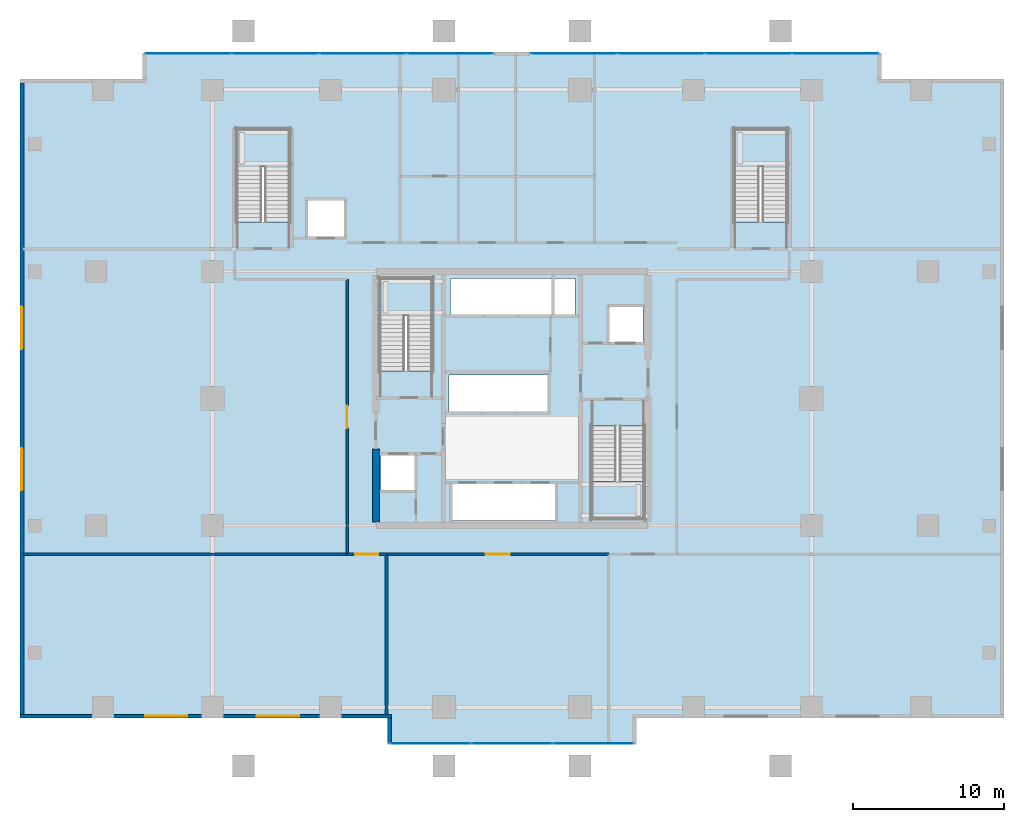
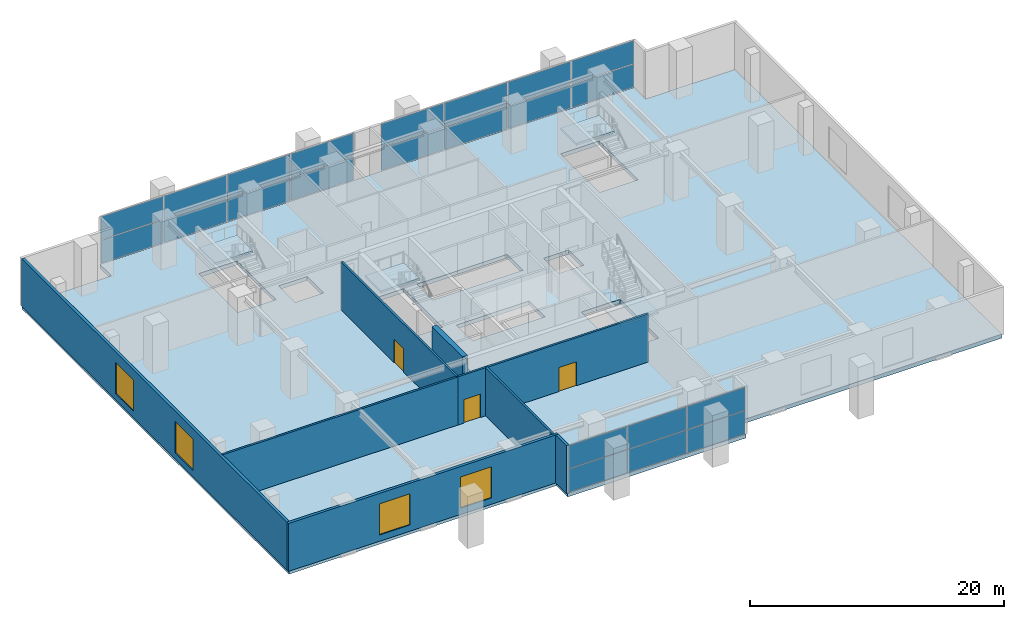
# One storey, part 12 of 20: 22 plates, 9 walls, 5 slabs, 4 windows, 3 doors, 7 openings, 7 elements without a shape of their own.
"""IFC4 building model written with IfcOpenShell, lengths in metres."""

from ifc_helpers import new_model, si_unit, direction, frame, frame_2d, origin, origin_2d, place, context, subcontext, project, spatial, polyline, rectangle, outline, extrude, source, transform, mapped, material, layer, layer_set, type_object, element, fill, aggregate, save


model = new_model("IFC4")

# Units and contexts
model_context = context("Model", 3, precision=1e-05, world=origin(), true_north=direction((0.0, 1.0)))
body_context = subcontext(model_context, "Body", "Model", "MODEL_VIEW")
ifc_project = project(units=[si_unit("LENGTHUNIT", "METRE"), si_unit("AREAUNIT", "SQUARE_METRE"), si_unit("VOLUMEUNIT", "CUBIC_METRE"), si_unit("PLANEANGLEUNIT", "RADIAN"), si_unit("MASSUNIT", "GRAM", prefix="KILO")], contexts=[model_context])

# Site, building, storey
site_placement = place(None, origin())
site = spatial("IfcSite", under=ifc_project, at=site_placement, CompositionType="ELEMENT")
building_placement = place(site_placement, origin())
building = spatial("IfcBuilding", under=site, at=building_placement, Name="Serunith Strait Residences", CompositionType="ELEMENT")
storey_placement = place(building_placement, frame((0.0, 0.0, 5.5)))
storey = spatial("IfcBuildingStorey", under=building, at=storey_placement, Name="L01", CompositionType="ELEMENT", Elevation=5.5)

# Stair, slab
ifc_material_1 = material(Name="Concrete C50/60", Category="concrete")
stair_type_1 = type_object("IfcStairType", Name="STR-CORE-1", PredefinedType="HALF_TURN_STAIR", material=ifc_material_1)
stair_1_placement = place(storey_placement, origin())
stair_1 = element("IfcStair", 1, at=stair_1_placement, inside=storey, type_object=stair_type_1, Name="L01 Protected Escape Stair ST-1", PredefinedType="HALF_TURN_STAIR")
ifc_layer_1 = layer(ifc_material_1, 0.199951171875, Name="Concrete C50/60")
ifc_layer_set_1 = layer_set([ifc_layer_1], Name="Concrete C50/60")
slab_type_1 = type_object("IfcSlabType", Name="SLB-LAND-200", PredefinedType="LANDING", material=ifc_layer_set_1)
slab_1_placement = place(storey_placement, frame((0.0, 0.0, 2.300048828125)))
slab_1 = element("IfcSlab", 2, at=slab_1_placement, type_object=slab_type_1, Name="ST-1 landing 1", PredefinedType="LANDING", context=body_context, shape_type="SweptSolid", body=[
    extrude(outline(polyline([(27.14990234375, 30.669921875), (27.14990234375, 33.14990234375), (23.64990234375, 33.14990234375), (23.64990234375, 30.669921875), (27.14990234375, 30.669921875)])), origin(), (0.0, 0.0, 1.0), 0.199951171875),
])
aggregate(stair_1, [slab_1])

stair_type_2 = type_object("IfcStairType", Name="STR-CORE-2", PredefinedType="HALF_TURN_STAIR", material=ifc_material_1)
stair_2_placement = place(storey_placement, origin())
stair_2 = element("IfcStair", 3, at=stair_2_placement, inside=storey, type_object=stair_type_2, Name="L01 Protected Escape Stair ST-2", PredefinedType="HALF_TURN_STAIR")
slab_2_placement = place(storey_placement, frame((0.0, 0.0, 2.300048828125)))
slab_2 = element("IfcSlab", 4, at=slab_2_placement, type_object=slab_type_1, Name="ST-2 landing 1", PredefinedType="LANDING", context=body_context, shape_type="SweptSolid", body=[
    extrude(outline(polyline([(37.64990234375, 19.72998046875), (37.64990234375, 17.25), (41.14990234375, 17.25), (41.14990234375, 19.72998046875), (37.64990234375, 19.72998046875)])), origin(), (0.0, 0.0, 1.0), 0.199951171875),
])
aggregate(stair_2, [slab_2])

stair_type_3 = type_object("IfcStairType", Name="STR-POD-3", PredefinedType="HALF_TURN_STAIR", material=ifc_material_1)
stair_3_placement = place(storey_placement, origin())
stair_3 = element("IfcStair", 5, at=stair_3_placement, inside=storey, type_object=stair_type_3, Name="L01 Podium Escape Stair ST-3", PredefinedType="HALF_TURN_STAIR")
slab_3_placement = place(storey_placement, frame((0.0, 0.0, 2.300048828125)))
slab_3 = element("IfcSlab", 6, at=slab_3_placement, type_object=slab_type_1, Name="ST-3 landing 1", PredefinedType="LANDING", context=body_context, shape_type="SweptSolid", body=[
    extrude(outline(polyline([(17.699951171875, 40.52001953125), (17.699951171875, 43.0), (14.199951171875, 43.0), (14.199951171875, 40.52001953125), (17.699951171875, 40.52001953125)])), origin(), (0.0, 0.0, 1.0), 0.199951171875),
])
aggregate(stair_3, [slab_3])

stair_type_4 = type_object("IfcStairType", Name="STR-POD-4", PredefinedType="HALF_TURN_STAIR", material=ifc_material_1)
stair_4_placement = place(storey_placement, origin())
stair_4 = element("IfcStair", 7, at=stair_4_placement, inside=storey, type_object=stair_type_4, Name="L01 Podium Escape Stair ST-4", PredefinedType="HALF_TURN_STAIR")
slab_4_placement = place(storey_placement, frame((0.0, 0.0, 2.300048828125)))
slab_4 = element("IfcSlab", 8, at=slab_4_placement, type_object=slab_type_1, Name="ST-4 landing 1", PredefinedType="LANDING", context=body_context, shape_type="SweptSolid", body=[
    extrude(outline(polyline([(50.60009765625, 40.52001953125), (50.60009765625, 43.0), (47.10009765625, 43.0), (47.10009765625, 40.52001953125), (50.60009765625, 40.52001953125)])), origin(), (0.0, 0.0, 1.0), 0.199951171875),
])
aggregate(stair_4, [slab_4])

# Slab
ifc_material_2 = material(Name="Concrete C60/75", Category="concrete")
ifc_layer_2 = layer(ifc_material_2, 0.3798828125, Name="Concrete C60/75")
ifc_layer_set_2 = layer_set([ifc_layer_2], Name="Concrete C60/75")
slab_type_2 = type_object("IfcSlabType", Name="SLB-POD-380", PredefinedType="FLOOR", material=ifc_layer_set_2)
slab_5_placement = place(storey_placement, frame((0.0, 0.0, -0.3798828125)))
element("IfcSlab", 9, at=slab_5_placement, inside=storey, type_object=slab_type_2, Name="L01 Structural Floor Plate", PredefinedType="FLOOR", context=body_context, shape_type="SweptSolid", body=[
    extrude(outline(polyline([(0.0, 46.199951171875), (8.10009765625, 46.199951171875), (8.10009765625, 48.0), (56.699951171875, 48.0), (56.699951171875, 46.199951171875), (64.800048828125, 46.199951171875), (64.800048828125, 4.199951171875), (40.5, 4.199951171875), (40.5, 2.39990234375), (24.300048828125, 2.39990234375), (24.300048828125, 4.199951171875), (0.0, 4.199951171875), (0.0, 46.199951171875)]), holes=[polyline([(50.60009765625, 43.0), (47.10009765625, 43.0), (47.10009765625, 36.8798828125), (50.60009765625, 36.8798828125), (50.60009765625, 43.0)]), polyline([(41.14990234375, 17.25), (41.14990234375, 23.3701171875), (37.64990234375, 23.3701171875), (37.64990234375, 17.25), (41.14990234375, 17.25)]), polyline([(41.050048828125, 28.85009765625), (41.050048828125, 31.25), (38.75, 31.25), (38.75, 28.85009765625), (41.050048828125, 28.85009765625)]), polyline([(36.550048828125, 33.14990234375), (28.35009765625, 33.14990234375), (28.35009765625, 30.64990234375), (36.550048828125, 30.64990234375), (36.550048828125, 33.14990234375)]), polyline([(35.35009765625, 19.64990234375), (28.35009765625, 19.64990234375), (28.35009765625, 17.14990234375), (35.35009765625, 17.14990234375), (35.35009765625, 19.64990234375)]), polyline([(34.85009765625, 24.25), (34.85009765625, 26.75), (28.25, 26.75), (28.25, 24.25), (34.85009765625, 24.25)]), polyline([(23.64990234375, 33.14990234375), (23.64990234375, 27.030029296875), (27.14990234375, 27.030029296875), (27.14990234375, 33.14990234375), (23.64990234375, 33.14990234375)]), polyline([(26.050048828125, 21.550048828125), (23.75, 21.550048828125), (23.75, 19.14990234375), (26.050048828125, 19.14990234375), (26.050048828125, 21.550048828125)]), polyline([(21.39990234375, 38.39990234375), (18.800048828125, 38.39990234375), (18.800048828125, 35.800048828125), (21.39990234375, 35.800048828125), (21.39990234375, 38.39990234375)]), polyline([(17.699951171875, 43.0), (14.199951171875, 43.0), (14.199951171875, 36.8798828125), (17.699951171875, 36.8798828125), (17.699951171875, 43.0)])]), origin(), (0.0, 0.0, 1.0), 0.3798828125),
])

# Curtain wall, plates
ifc_material_3 = material(Name="Pale-Champagne Anodised Aluminium", Category="aluminium")
ifc_layer_3 = layer(ifc_material_3, 0.199951171875, Name="Pale-Champagne Anodised Aluminium")
ifc_layer_set_3 = layer_set([ifc_layer_3], Name="Pale-Champagne Anodised Aluminium")
curtain_wall_type = type_object("IfcCurtainWallType", Name="CW-SYS6", PredefinedType="NOTDEFINED", material=ifc_layer_set_3)
curtain_wall_1_placement = place(storey_placement, origin())
curtain_wall_1 = element("IfcCurtainWall", 10, at=curtain_wall_1_placement, inside=storey, type_object=curtain_wall_type, Name="L01 Podium Galleria Curtain Wall 3A", PredefinedType="NOTDEFINED")
ifc_material_4 = material(Name="Waterfront Podium Structural Glazing 36mm", Category="glass")
ifc_layer_4 = layer(ifc_material_4, 0.035888671875, Name="Waterfront Podium Structural Glazing 36mm")
ifc_layer_set_4 = layer_set([ifc_layer_4], Name="Waterfront Podium Structural Glazing 36mm")
plate_type = type_object("IfcPlateType", Name="CW-SYS6-PNL", PredefinedType="CURTAIN_PANEL", material=ifc_layer_set_4)
shared_shape_1 = source(origin(), body_context, "Body", "SweptSolid", [
    extrude(rectangle(XDim=5.28759765625, YDim=0.035888671875, at=origin_2d()), origin(), (0.0, 0.0, 1.0), 2.21240234375),
])
plate_1_placement = place(storey_placement, frame((27.018798828125, 2.39990234375, 0.06005859375), z_axis=(0.0, 0.0, 1.0), x_axis=(1.0, 0.0, 0.0)))
plate_1 = element("IfcPlate", 11, at=plate_1_placement, type_object=plate_type, Name="CW-6 panel 1.1", PredefinedType="CURTAIN_PANEL", context=body_context, shape_type="MappedRepresentation", body=[
    mapped(shared_shape_1, transform((0.0, 0.0, 0.0), scale=1.0)),
])
plate_2_placement = place(storey_placement, frame((27.018798828125, 2.39990234375, 2.33251953125), z_axis=(0.0, 0.0, 1.0), x_axis=(1.0, 0.0, 0.0)))
plate_2 = element("IfcPlate", 12, at=plate_2_placement, type_object=plate_type, Name="CW-6 panel 1.2", PredefinedType="CURTAIN_PANEL", context=body_context, shape_type="MappedRepresentation", body=[
    mapped(shared_shape_1, transform((0.0, 0.0, 0.0), scale=1.0)),
])
plate_3_placement = place(storey_placement, frame((37.78125, 2.39990234375, 0.06005859375), z_axis=(0.0, 0.0, 1.0), x_axis=(1.0, 0.0, 0.0)))
plate_3 = element("IfcPlate", 13, at=plate_3_placement, type_object=plate_type, Name="CW-6 panel 3.1", PredefinedType="CURTAIN_PANEL", context=body_context, shape_type="MappedRepresentation", body=[
    mapped(shared_shape_1, transform((0.0, 0.0, 0.0), scale=1.0)),
])
plate_4_placement = place(storey_placement, frame((37.78125, 2.39990234375, 2.33251953125), z_axis=(0.0, 0.0, 1.0), x_axis=(1.0, 0.0, 0.0)))
plate_4 = element("IfcPlate", 14, at=plate_4_placement, type_object=plate_type, Name="CW-6 panel 3.2", PredefinedType="CURTAIN_PANEL", context=body_context, shape_type="MappedRepresentation", body=[
    mapped(shared_shape_1, transform((0.0, 0.0, 0.0), scale=1.0)),
])
shared_shape_2 = source(origin(), body_context, "Body", "SweptSolid", [
    extrude(rectangle(XDim=5.324951171875, YDim=0.035888671875, at=origin_2d()), origin(), (0.0, 0.0, 1.0), 2.21240234375),
])
plate_5_placement = place(storey_placement, frame((32.39990234375, 2.39990234375, 0.06005859375), z_axis=(0.0, 0.0, 1.0), x_axis=(1.0, 0.0, 0.0)))
plate_5 = element("IfcPlate", 15, at=plate_5_placement, type_object=plate_type, Name="CW-6 panel 2.1", PredefinedType="CURTAIN_PANEL", context=body_context, shape_type="MappedRepresentation", body=[
    mapped(shared_shape_2, transform((0.0, 0.0, 0.0), scale=1.0)),
])
plate_6_placement = place(storey_placement, frame((32.39990234375, 2.39990234375, 2.33251953125), z_axis=(0.0, 0.0, 1.0), x_axis=(1.0, 0.0, 0.0)))
plate_6 = element("IfcPlate", 16, at=plate_6_placement, type_object=plate_type, Name="CW-6 panel 2.2", PredefinedType="CURTAIN_PANEL", context=body_context, shape_type="MappedRepresentation", body=[
    mapped(shared_shape_2, transform((0.0, 0.0, 0.0), scale=1.0)),
])
aggregate(curtain_wall_1, [plate_1, plate_2, plate_5, plate_6, plate_3, plate_4])

curtain_wall_2_placement = place(storey_placement, origin())
curtain_wall_2 = element("IfcCurtainWall", 17, at=curtain_wall_2_placement, inside=storey, type_object=curtain_wall_type, Name="L01 Podium Galleria Curtain Wall 9A", PredefinedType="NOTDEFINED")
shared_shape_3 = source(origin(), body_context, "Body", "SweptSolid", [
    extrude(rectangle(XDim=5.66259765625, YDim=0.035888671875, at=origin_2d()), origin(), (0.0, 0.0, 1.0), 2.21240234375),
])
plate_7_placement = place(storey_placement, frame((53.793701171875, 48.0, 0.06005859375), z_axis=(0.0, 0.0, 1.0), x_axis=(-1.0, 0.0, 0.0)))
plate_7 = element("IfcPlate", 18, at=plate_7_placement, type_object=plate_type, Name="CW-6 panel 1.1", PredefinedType="CURTAIN_PANEL", context=body_context, shape_type="MappedRepresentation", body=[
    mapped(shared_shape_3, transform((0.0, 0.0, 0.0), scale=1.0)),
])
plate_8_placement = place(storey_placement, frame((53.793701171875, 48.0, 2.33251953125), z_axis=(0.0, 0.0, 1.0), x_axis=(-1.0, 0.0, 0.0)))
plate_8 = element("IfcPlate", 19, at=plate_8_placement, type_object=plate_type, Name="CW-6 panel 1.2", PredefinedType="CURTAIN_PANEL", context=body_context, shape_type="MappedRepresentation", body=[
    mapped(shared_shape_3, transform((0.0, 0.0, 0.0), scale=1.0)),
])
plate_9_placement = place(storey_placement, frame((36.50634765625, 48.0, 0.06005859375), z_axis=(0.0, 0.0, 1.0), x_axis=(-1.0, 0.0, 0.0)))
plate_9 = element("IfcPlate", 20, at=plate_9_placement, type_object=plate_type, Name="CW-6 panel 4.1", PredefinedType="CURTAIN_PANEL", context=body_context, shape_type="MappedRepresentation", body=[
    mapped(shared_shape_3, transform((0.0, 0.0, 0.0), scale=1.0)),
])
plate_10_placement = place(storey_placement, frame((36.50634765625, 48.0, 2.33251953125), z_axis=(0.0, 0.0, 1.0), x_axis=(-1.0, 0.0, 0.0)))
plate_10 = element("IfcPlate", 21, at=plate_10_placement, type_object=plate_type, Name="CW-6 panel 4.2", PredefinedType="CURTAIN_PANEL", context=body_context, shape_type="MappedRepresentation", body=[
    mapped(shared_shape_3, transform((0.0, 0.0, 0.0), scale=1.0)),
])

curtain_wall_3_placement = place(storey_placement, origin())
curtain_wall_3 = element("IfcCurtainWall", 22, at=curtain_wall_3_placement, inside=storey, type_object=curtain_wall_type, Name="L01 Podium Galleria Curtain Wall 9B", PredefinedType="NOTDEFINED")
plate_11_placement = place(storey_placement, frame((28.293701171875, 48.0, 0.06005859375), z_axis=(0.0, 0.0, 1.0), x_axis=(-1.0, 0.0, 0.0)))
plate_11 = element("IfcPlate", 23, at=plate_11_placement, type_object=plate_type, Name="CW-6 panel 1.1", PredefinedType="CURTAIN_PANEL", context=body_context, shape_type="MappedRepresentation", body=[
    mapped(shared_shape_3, transform((0.0, 0.0, 0.0), scale=1.0)),
])
plate_12_placement = place(storey_placement, frame((28.293701171875, 48.0, 2.33251953125), z_axis=(0.0, 0.0, 1.0), x_axis=(-1.0, 0.0, 0.0)))
plate_12 = element("IfcPlate", 24, at=plate_12_placement, type_object=plate_type, Name="CW-6 panel 1.2", PredefinedType="CURTAIN_PANEL", context=body_context, shape_type="MappedRepresentation", body=[
    mapped(shared_shape_3, transform((0.0, 0.0, 0.0), scale=1.0)),
])
plate_13_placement = place(storey_placement, frame((11.00634765625, 48.0, 0.06005859375), z_axis=(0.0, 0.0, 1.0), x_axis=(-1.0, 0.0, 0.0)))
plate_13 = element("IfcPlate", 25, at=plate_13_placement, type_object=plate_type, Name="CW-6 panel 4.1", PredefinedType="CURTAIN_PANEL", context=body_context, shape_type="MappedRepresentation", body=[
    mapped(shared_shape_3, transform((0.0, 0.0, 0.0), scale=1.0)),
])
plate_14_placement = place(storey_placement, frame((11.00634765625, 48.0, 2.33251953125), z_axis=(0.0, 0.0, 1.0), x_axis=(-1.0, 0.0, 0.0)))
plate_14 = element("IfcPlate", 26, at=plate_14_placement, type_object=plate_type, Name="CW-6 panel 4.2", PredefinedType="CURTAIN_PANEL", context=body_context, shape_type="MappedRepresentation", body=[
    mapped(shared_shape_3, transform((0.0, 0.0, 0.0), scale=1.0)),
])

# Plate
shared_shape_4 = source(origin(), body_context, "Body", "SweptSolid", [
    extrude(rectangle(XDim=5.699951171875, YDim=0.035888671875, at=origin_2d()), origin(), (0.0, 0.0, 1.0), 2.21240234375),
])
plate_15_placement = place(storey_placement, frame((48.03759765625, 48.0, 0.06005859375), z_axis=(0.0, 0.0, 1.0), x_axis=(-1.0, 0.0, 0.0)))
plate_15 = element("IfcPlate", 27, at=plate_15_placement, type_object=plate_type, Name="CW-6 panel 2.1", PredefinedType="CURTAIN_PANEL", context=body_context, shape_type="MappedRepresentation", body=[
    mapped(shared_shape_4, transform((0.0, 0.0, 0.0), scale=1.0)),
])

plate_16_placement = place(storey_placement, frame((48.03759765625, 48.0, 2.33251953125), z_axis=(0.0, 0.0, 1.0), x_axis=(-1.0, 0.0, 0.0)))
plate_16 = element("IfcPlate", 28, at=plate_16_placement, type_object=plate_type, Name="CW-6 panel 2.2", PredefinedType="CURTAIN_PANEL", context=body_context, shape_type="MappedRepresentation", body=[
    mapped(shared_shape_4, transform((0.0, 0.0, 0.0), scale=1.0)),
])

plate_17_placement = place(storey_placement, frame((42.262451171875, 48.0, 0.06005859375), z_axis=(0.0, 0.0, 1.0), x_axis=(-1.0, 0.0, 0.0)))
plate_17 = element("IfcPlate", 29, at=plate_17_placement, type_object=plate_type, Name="CW-6 panel 3.1", PredefinedType="CURTAIN_PANEL", context=body_context, shape_type="MappedRepresentation", body=[
    mapped(shared_shape_4, transform((0.0, 0.0, 0.0), scale=1.0)),
])

plate_18_placement = place(storey_placement, frame((42.262451171875, 48.0, 2.33251953125), z_axis=(0.0, 0.0, 1.0), x_axis=(-1.0, 0.0, 0.0)))
plate_18 = element("IfcPlate", 30, at=plate_18_placement, type_object=plate_type, Name="CW-6 panel 3.2", PredefinedType="CURTAIN_PANEL", context=body_context, shape_type="MappedRepresentation", body=[
    mapped(shared_shape_4, transform((0.0, 0.0, 0.0), scale=1.0)),
])

aggregate(curtain_wall_2, [plate_7, plate_8, plate_15, plate_16, plate_17, plate_18, plate_9, plate_10])

plate_19_placement = place(storey_placement, frame((22.53759765625, 48.0, 0.06005859375), z_axis=(0.0, 0.0, 1.0), x_axis=(-1.0, 0.0, 0.0)))
plate_19 = element("IfcPlate", 31, at=plate_19_placement, type_object=plate_type, Name="CW-6 panel 2.1", PredefinedType="CURTAIN_PANEL", context=body_context, shape_type="MappedRepresentation", body=[
    mapped(shared_shape_4, transform((0.0, 0.0, 0.0), scale=1.0)),
])

plate_20_placement = place(storey_placement, frame((22.53759765625, 48.0, 2.33251953125), z_axis=(0.0, 0.0, 1.0), x_axis=(-1.0, 0.0, 0.0)))
plate_20 = element("IfcPlate", 32, at=plate_20_placement, type_object=plate_type, Name="CW-6 panel 2.2", PredefinedType="CURTAIN_PANEL", context=body_context, shape_type="MappedRepresentation", body=[
    mapped(shared_shape_4, transform((0.0, 0.0, 0.0), scale=1.0)),
])

plate_21_placement = place(storey_placement, frame((16.762451171875, 48.0, 0.06005859375), z_axis=(0.0, 0.0, 1.0), x_axis=(-1.0, 0.0, 0.0)))
plate_21 = element("IfcPlate", 33, at=plate_21_placement, type_object=plate_type, Name="CW-6 panel 3.1", PredefinedType="CURTAIN_PANEL", context=body_context, shape_type="MappedRepresentation", body=[
    mapped(shared_shape_4, transform((0.0, 0.0, 0.0), scale=1.0)),
])

plate_22_placement = place(storey_placement, frame((16.762451171875, 48.0, 2.33251953125), z_axis=(0.0, 0.0, 1.0), x_axis=(-1.0, 0.0, 0.0)))
plate_22 = element("IfcPlate", 34, at=plate_22_placement, type_object=plate_type, Name="CW-6 panel 3.2", PredefinedType="CURTAIN_PANEL", context=body_context, shape_type="MappedRepresentation", body=[
    mapped(shared_shape_4, transform((0.0, 0.0, 0.0), scale=1.0)),
])

aggregate(curtain_wall_3, [plate_11, plate_12, plate_19, plate_20, plate_21, plate_22, plate_13, plate_14])

# Wall, openings, windows
ifc_material_5 = material(Name="Pale-Silver Aluminium Terracotta-Backed Wall", Category="masonry")
ifc_layer_5 = layer(ifc_material_5, 0.25, Name="Pale-Silver Aluminium Terracotta-Backed Wall")
ifc_layer_set_5 = layer_set([ifc_layer_5], Name="Pale-Silver Aluminium Terracotta-Backed Wall")
wall_type_1 = type_object("IfcWallType", Name="EW-POD-250", PredefinedType="ELEMENTEDWALL", material=ifc_layer_set_5)
wall_1_placement = place(storey_placement, frame((-0.125, 4.199951171875, 0.0), z_axis=(0.0, 0.0, 1.0), x_axis=(1.0, 0.0, 0.0)))
wall_1 = element("IfcWall", 35, at=wall_1_placement, inside=storey, type_object=wall_type_1, Name="L01 Podium Envelope Wall 1", PredefinedType="ELEMENTEDWALL", context=body_context, shape_type="SweptSolid", body=[
    extrude(rectangle(XDim=24.550048828125, YDim=0.25, at=frame_2d((12.27490234375, 0.0))), origin(), (0.0, 0.0, 1.0), 4.60498046875),
])
opening_1_placement = place(wall_1_placement, frame((8.264892578125, 0.0, 0.60009765625)))
opening_1 = element("IfcOpeningElement", 36, at=opening_1_placement, cuts=wall_1, Name="Opening W-07", PredefinedType="OPENING", context=body_context, shape_type="SweptSolid", body=[
    extrude(rectangle(XDim=2.800048828125, YDim=3.0, at=frame_2d((1.39990234375, 1.5))), frame((0.0, 0.135009765625, 0.0), z_axis=(0.0, -1.0, 0.0), x_axis=(1.0, 0.0, 0.0)), (0.0, 0.0, 1.0), 0.27001953125),
])
opening_2_placement = place(wall_1_placement, frame((15.659912109375, 0.0, 0.60009765625)))
opening_2 = element("IfcOpeningElement", 37, at=opening_2_placement, cuts=wall_1, Name="Opening W-07", PredefinedType="OPENING", context=body_context, shape_type="SweptSolid", body=[
    extrude(rectangle(XDim=2.800048828125, YDim=3.0, at=frame_2d((1.39990234375, 1.5))), frame((0.0, 0.135009765625, 0.0), z_axis=(0.0, -1.0, 0.0), x_axis=(1.0, 0.0, 0.0)), (0.0, 0.0, 1.0), 0.27001953125),
])
ifc_material_6 = material(Name="Podium Storefront Low-E Laminated Glass", Category="glass")
window_type = type_object("IfcWindowType", Name="WIN-POD1", PartitioningType="TRIPLE_PANEL_VERTICAL", PredefinedType="WINDOW", material=ifc_material_6)
shared_shape_5 = source(origin(), body_context, "Body", "SweptSolid", [
    extrude(rectangle(XDim=2.800048828125, YDim=3.0, at=frame_2d((1.39990234375, 1.5))), frame((0.0, 0.030029296875, 0.0), z_axis=(0.0, -1.0, 0.0), x_axis=(1.0, 0.0, 0.0)), (0.0, 0.0, 1.0), 0.06005859375),
])
window_1_placement = place(opening_1_placement, origin())
window_1 = element("IfcWindow", 38, at=window_1_placement, inside=storey, type_object=window_type, Name="L01 Podium Window 1A", OverallHeight=3.0, OverallWidth=2.800048828125, PartitioningType="SINGLE_PANEL", PredefinedType="WINDOW", context=body_context, shape_type="MappedRepresentation", body=[
    mapped(shared_shape_5, transform((0.0, 0.0, 0.0), scale=1.0)),
])
fill(opening_1, window_1)
window_2_placement = place(opening_2_placement, origin())
window_2 = element("IfcWindow", 39, at=window_2_placement, inside=storey, type_object=window_type, Name="L01 Podium Window 1B", OverallHeight=3.0, OverallWidth=2.800048828125, PartitioningType="SINGLE_PANEL", PredefinedType="WINDOW", context=body_context, shape_type="MappedRepresentation", body=[
    mapped(shared_shape_5, transform((0.0, 0.0, 0.0), scale=1.0)),
])
fill(opening_2, window_2)

# Wall
wall_2_placement = place(storey_placement, frame((24.300048828125, 4.074951171875, 0.0), z_axis=(0.0, 0.0, 1.0), x_axis=(0.0, -1.0, 0.0)))
element("IfcWall", 40, at=wall_2_placement, inside=storey, type_object=wall_type_1, Name="L01 Podium Envelope Wall 2", PredefinedType="ELEMENTEDWALL", context=body_context, shape_type="SweptSolid", body=[
    extrude(rectangle(XDim=1.675048828125, YDim=0.25, at=frame_2d((0.83740234375, 0.0))), origin(), (0.0, 0.0, 1.0), 4.60498046875),
])

# Wall, openings, windows
wall_3_placement = place(storey_placement, frame((0.0, 46.074951171875, 0.0), z_axis=(0.0, 0.0, 1.0), x_axis=(0.0, -1.0, 0.0)))
wall_3 = element("IfcWall", 41, at=wall_3_placement, inside=storey, type_object=wall_type_1, Name="L01 Podium Envelope Wall 12", PredefinedType="ELEMENTEDWALL", context=body_context, shape_type="SweptSolid", body=[
    extrude(rectangle(XDim=41.75, YDim=0.25, at=frame_2d((20.875, 0.0))), origin(), (0.0, 0.0, 1.0), 4.60498046875),
])
opening_3_placement = place(wall_3_placement, frame((14.801025390625, 0.0, 0.60009765625)))
opening_3 = element("IfcOpeningElement", 42, at=opening_3_placement, cuts=wall_3, Name="Opening W-07", PredefinedType="OPENING", context=body_context, shape_type="SweptSolid", body=[
    extrude(rectangle(XDim=2.800048828125, YDim=3.0, at=frame_2d((1.39990234375, 1.5))), frame((0.0, 0.135009765625, 0.0), z_axis=(0.0, -1.0, 0.0), x_axis=(1.0, 0.0, 0.0)), (0.0, 0.0, 1.0), 0.27001953125),
])
opening_4_placement = place(wall_3_placement, frame((24.14892578125, 0.0, 0.60009765625)))
opening_4 = element("IfcOpeningElement", 43, at=opening_4_placement, cuts=wall_3, Name="Opening W-07", PredefinedType="OPENING", context=body_context, shape_type="SweptSolid", body=[
    extrude(rectangle(XDim=2.800048828125, YDim=3.0, at=frame_2d((1.39990234375, 1.5))), frame((0.0, 0.135009765625, 0.0), z_axis=(0.0, -1.0, 0.0), x_axis=(1.0, 0.0, 0.0)), (0.0, 0.0, 1.0), 0.27001953125),
])
window_3_placement = place(opening_3_placement, origin())
window_3 = element("IfcWindow", 44, at=window_3_placement, inside=storey, type_object=window_type, Name="L01 Podium Window 12A", OverallHeight=3.0, OverallWidth=2.800048828125, PartitioningType="SINGLE_PANEL", PredefinedType="WINDOW", context=body_context, shape_type="MappedRepresentation", body=[
    mapped(shared_shape_5, transform((0.0, 0.0, 0.0), scale=1.0)),
])
fill(opening_3, window_3)
window_4_placement = place(opening_4_placement, origin())
window_4 = element("IfcWindow", 45, at=window_4_placement, inside=storey, type_object=window_type, Name="L01 Podium Window 12B", OverallHeight=3.0, OverallWidth=2.800048828125, PartitioningType="SINGLE_PANEL", PredefinedType="WINDOW", context=body_context, shape_type="MappedRepresentation", body=[
    mapped(shared_shape_5, transform((0.0, 0.0, 0.0), scale=1.0)),
])
fill(opening_4, window_4)

# Wall
ifc_material_7 = material(Name="Fire-rated acoustic gypsum partition")
ifc_layer_6 = layer(ifc_material_7, 0.179931640625, Name="Fire-rated acoustic gypsum partition")
ifc_layer_set_6 = layer_set([ifc_layer_6], Name="Fire-rated acoustic gypsum partition")
wall_type_2 = type_object("IfcWallType", Name="IW-CORR-180", PredefinedType="PARTITIONING", material=ifc_layer_set_6)
wall_4_placement = place(storey_placement, frame((0.08203125, 14.89990234375, 0.0), z_axis=(0.0, 0.0, 1.0), x_axis=(1.0, 0.0, 0.0)))
element("IfcWall", 46, at=wall_4_placement, inside=storey, type_object=wall_type_2, Name="L01 Partition Wall 014", PredefinedType="PARTITIONING", context=body_context, shape_type="SweptSolid", body=[
    extrude(rectangle(XDim=21.41796875, YDim=0.179931640625, at=frame_2d((10.708984375, 0.0))), origin(), (0.0, 0.0, 1.0), 4.6201171875),
])

# Wall, opening, door
wall_5_placement = place(storey_placement, frame((21.5, 14.89990234375, 0.0), z_axis=(0.0, 0.0, 1.0), x_axis=(0.0, 1.0, 0.0)))
wall_5 = element("IfcWall", 47, at=wall_5_placement, inside=storey, type_object=wall_type_2, Name="L01 Partition Wall 024", PredefinedType="PARTITIONING", context=body_context, shape_type="SweptSolid", body=[
    extrude(rectangle(XDim=18.18017578125, YDim=0.179931640625, at=frame_2d((9.090087890625, 0.0))), origin(), (0.0, 0.0, 1.0), 4.6201171875),
])
opening_5_placement = place(wall_5_placement, frame((8.340087890625, 0.0, 0.0)))
opening_5 = element("IfcOpeningElement", 48, at=opening_5_placement, cuts=wall_5, Name="Opening D-POD1500", PredefinedType="OPENING", context=body_context, shape_type="SweptSolid", body=[
    extrude(rectangle(XDim=1.5, YDim=2.25, at=frame_2d((0.75, 1.125))), frame((0.0, 0.10009765625, 0.0), z_axis=(0.0, -1.0, 0.0), x_axis=(1.0, 0.0, 0.0)), (0.0, 0.0, 1.0), 0.199951171875),
])
ifc_material_8 = material(Name="Pale-champagne aluminium glazed double door", Category="aluminium")
door_type_1 = type_object("IfcDoorType", Name="ID-POD-1500", OperationType="DOUBLE_DOOR_SINGLE_SWING", PredefinedType="DOOR", material=ifc_material_8)
shared_shape_6 = source(origin(), body_context, "Body", "SweptSolid", [
    extrude(rectangle(XDim=1.5, YDim=2.25, at=frame_2d((0.75, 1.125))), frame((0.0, 0.02490234375, 0.0), z_axis=(0.0, -1.0, 0.0), x_axis=(1.0, 0.0, 0.0)), (0.0, 0.0, 1.0), 0.050048828125),
])
door_1_placement = place(opening_5_placement, origin())
door_1 = element("IfcDoor", 49, at=door_1_placement, inside=storey, type_object=door_type_1, Name="L01 West Wing Suite Door", OperationType="DOUBLE_DOOR_SINGLE_SWING", OverallHeight=2.25, OverallWidth=1.5, PredefinedType="DOOR", context=body_context, shape_type="MappedRepresentation", body=[
    mapped(shared_shape_6, transform((0.0, 0.0, 0.0), scale=1.0)),
])
fill(opening_5, door_1)

wall_6_placement = place(storey_placement, frame((21.501953125, 14.89990234375, 0.0), z_axis=(0.0, 0.0, 1.0), x_axis=(1.0, 0.0, 0.0)))
wall_6 = element("IfcWall", 50, at=wall_6_placement, inside=storey, type_object=wall_type_2, Name="L01 Partition Wall 030", PredefinedType="PARTITIONING", context=body_context, shape_type="SweptSolid", body=[
    extrude(rectangle(XDim=2.59814453125, YDim=0.179931640625, at=frame_2d((1.299072265625, 0.0))), origin(), (0.0, 0.0, 1.0), 4.6201171875),
])
opening_6_placement = place(wall_6_placement, frame((0.549072265625, 0.0, 0.0)))
opening_6 = element("IfcOpeningElement", 51, at=opening_6_placement, cuts=wall_6, Name="Opening D-POD1500", PredefinedType="OPENING", context=body_context, shape_type="SweptSolid", body=[
    extrude(rectangle(XDim=1.5, YDim=2.25, at=frame_2d((0.75, 1.125))), frame((0.0, 0.10009765625, 0.0), z_axis=(0.0, -1.0, 0.0), x_axis=(1.0, 0.0, 0.0)), (0.0, 0.0, 1.0), 0.199951171875),
])
door_2_placement = place(opening_6_placement, origin())
door_2 = element("IfcDoor", 52, at=door_2_placement, inside=storey, type_object=door_type_1, Name="L01 South-West Suite Door", OperationType="DOUBLE_DOOR_SINGLE_SWING", OverallHeight=2.25, OverallWidth=1.5, PredefinedType="DOOR", context=body_context, shape_type="MappedRepresentation", body=[
    mapped(shared_shape_6, transform((0.0, 0.0, 0.0), scale=1.0)),
])
fill(opening_6, door_2)

wall_7_placement = place(storey_placement, frame((24.10205078125, 14.89990234375, 0.0), z_axis=(0.0, 0.0, 1.0), x_axis=(1.0, 0.0, 0.0)))
wall_7 = element("IfcWall", 53, at=wall_7_placement, inside=storey, type_object=wall_type_2, Name="L01 Partition Wall 031", PredefinedType="PARTITIONING", context=body_context, shape_type="SweptSolid", body=[
    extrude(rectangle(XDim=14.697998046875, YDim=0.179931640625, at=frame_2d((7.34912109375, 0.0))), origin(), (0.0, 0.0, 1.0), 4.6201171875),
])
opening_7_placement = place(wall_7_placement, frame((6.549072265625, 0.0, 0.0)))
opening_7 = element("IfcOpeningElement", 54, at=opening_7_placement, cuts=wall_7, Name="Opening D-POD1600", PredefinedType="OPENING", context=body_context, shape_type="SweptSolid", body=[
    extrude(rectangle(XDim=1.60009765625, YDim=2.300048828125, at=frame_2d((0.800048828125, 1.14990234375))), frame((0.0, 0.10009765625, 0.0), z_axis=(0.0, -1.0, 0.0), x_axis=(1.0, 0.0, 0.0)), (0.0, 0.0, 1.0), 0.199951171875),
])
ifc_material_9 = material(Name="Pale-champagne aluminium glazed concourse door", Category="aluminium")
door_type_2 = type_object("IfcDoorType", Name="ID-POD-1600", OperationType="DOUBLE_DOOR_SINGLE_SWING", PredefinedType="DOOR", material=ifc_material_9)
shared_shape_7 = source(origin(), body_context, "Body", "SweptSolid", [
    extrude(rectangle(XDim=1.60009765625, YDim=2.300048828125, at=frame_2d((0.800048828125, 1.14990234375))), frame((0.0, 0.02490234375, 0.0), z_axis=(0.0, -1.0, 0.0), x_axis=(1.0, 0.0, 0.0)), (0.0, 0.0, 1.0), 0.050048828125),
])
door_3_placement = place(opening_7_placement, origin())
door_3 = element("IfcDoor", 55, at=door_3_placement, inside=storey, type_object=door_type_2, Name="L01 South Central Lounge Door", OperationType="DOUBLE_DOOR_SINGLE_SWING", OverallHeight=2.300048828125, OverallWidth=1.60009765625, PredefinedType="DOOR", context=body_context, shape_type="MappedRepresentation", body=[
    mapped(shared_shape_7, transform((0.0, 0.0, 0.0), scale=1.0)),
])
fill(opening_7, door_3)

# Walls
wall_8_placement = place(storey_placement, frame((24.10009765625, 4.281982421875, 0.0), z_axis=(0.0, 0.0, 1.0), x_axis=(0.0, 1.0, 0.0)))
element("IfcWall", 56, at=wall_8_placement, inside=storey, type_object=wall_type_2, Name="L01 Partition Wall 038", PredefinedType="PARTITIONING", context=body_context, shape_type="SweptSolid", body=[
    extrude(rectangle(XDim=10.617919921875, YDim=0.179931640625, at=frame_2d((5.30908203125, 0.0))), origin(), (0.0, 0.0, 1.0), 4.6201171875),
])
ifc_material_10 = material(Name="Concrete C80/95", Category="concrete")
ifc_layer_7 = layer(ifc_material_10, 0.449951171875, Name="Concrete C80/95")
ifc_layer_set_7 = layer_set([ifc_layer_7], Name="Concrete C80/95")
wall_type_3 = type_object("IfcWallType", Name="SW-450-C80", PredefinedType="SHEAR", material=ifc_layer_set_7)
wall_9_placement = place(storey_placement, frame((23.39990234375, 17.02490234375, -0.3798828125), z_axis=(0.0, 0.0, 1.0), x_axis=(0.0, 1.0, 0.0)))
element("IfcWall", 57, at=wall_9_placement, inside=storey, type_object=wall_type_3, Name="L01 Core West Shear Wall South Pier", PredefinedType="SHEAR", context=body_context, shape_type="SweptSolid", body=[
    extrude(rectangle(XDim=4.8251953125, YDim=0.449951171875, at=frame_2d((2.41259765625, 0.0))), origin(), (0.0, 0.0, 1.0), 4.997802734375),
])

save(model, "model.ifc")
